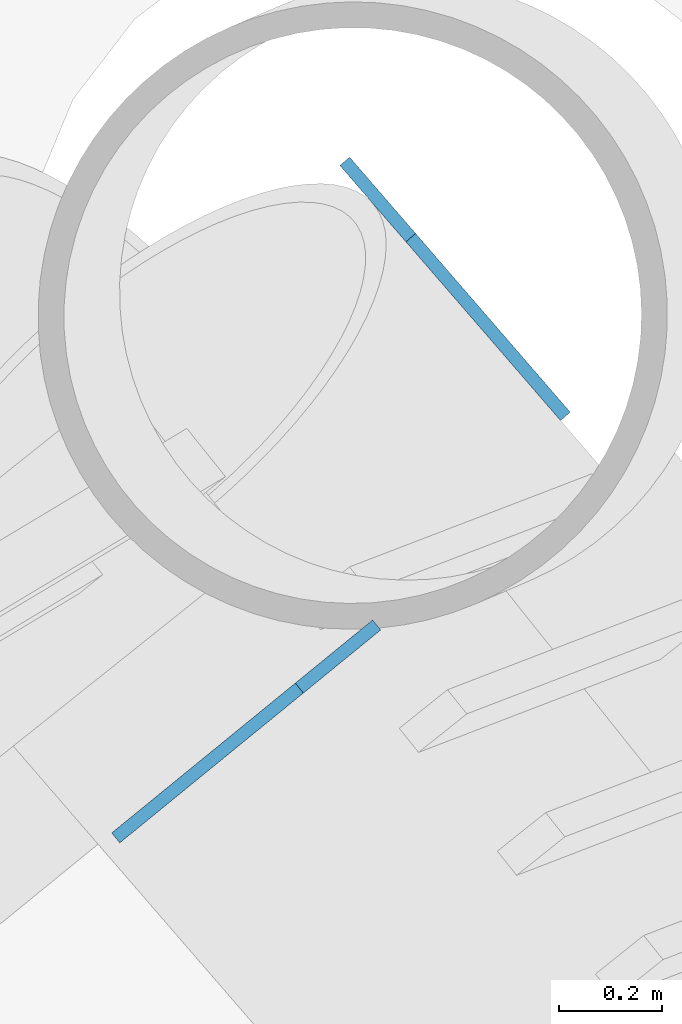
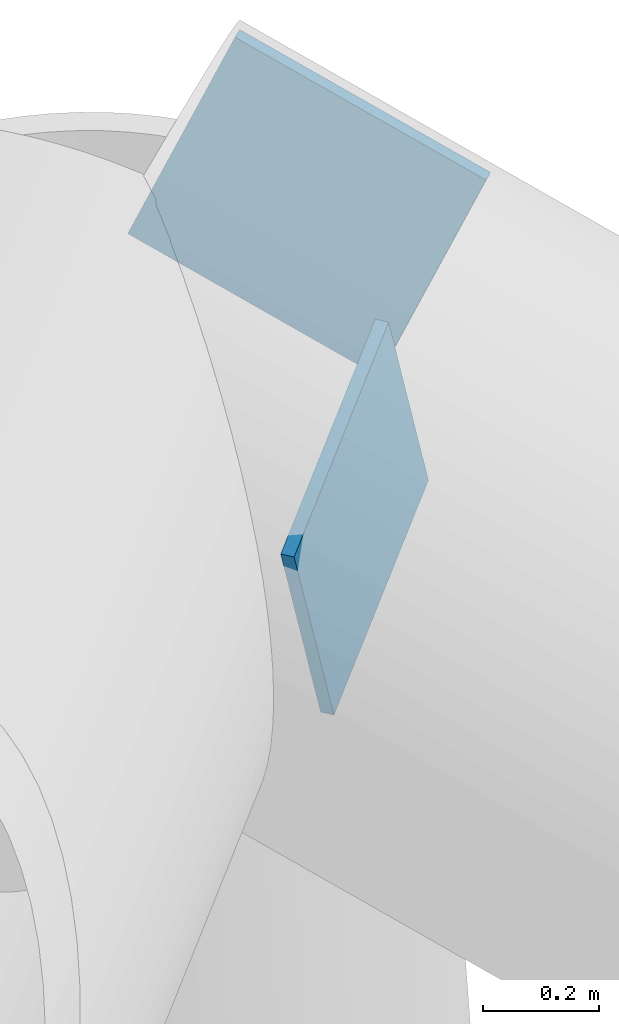
# One storey, part 29 of 48: 2 discrete accessories.
"""IFC4 building model written with IfcOpenShell, lengths in metres."""

import ifcopenshell
import ifcopenshell.guid

model = None  # the IFC model being written
_history = None  # IfcOwnerHistory: only IFC2X3 demands one
_inside = {}  # id of a spatial element -> (the spatial element, [elements in it])
_under = {}  # id of a project, library or spatial element -> (it, [spatial elements below it])
_declared = {}  # id of a project -> (the project, [libraries it declares])
_typed = {}  # id of a type object -> (the type object, [elements of that type])
_made_of = {}  # id of a material, layer set ... -> (it, [elements and type objects made of it])


def new_model(schema):
    """Start an empty IFC model of exactly this schema.

    Asked for "IFC4X3", IfcOpenShell would pick the latest addendum, in which some entities
    have other attributes; the version numbers below select the first issue.
    IFC2X3 requires an IfcOwnerHistory on every rooted entity: one is made here for all.
    """
    global model, _history
    if schema == "IFC4X3":
        model = ifcopenshell.file(schema_version=(4, 3, 0, 0))
    else:
        model = ifcopenshell.file(schema=schema)
    _inside.clear()
    _under.clear()
    _declared.clear()
    _typed.clear()
    _made_of.clear()
    _history = None
    if model.schema == "IFC2X3":
        org = make("IfcOrganization", Name="unknown")
        user = make(
            "IfcPersonAndOrganization",
            ThePerson=make("IfcPerson", FamilyName="unknown"),
            TheOrganization=org,
        )
        app = make(
            "IfcApplication",
            ApplicationDeveloper=org,
            Version="unknown",
            ApplicationFullName="unknown",
            ApplicationIdentifier="unknown",
        )
        _history = make(
            "IfcOwnerHistory",
            OwningUser=user,
            OwningApplication=app,
            ChangeAction="ADDED",
            CreationDate=0,
        )
    return model


def make(cls, **values):
    """One entity of the class cls with the attributes given. An attribute that is None is left unset."""
    return model.create_entity(
        cls, **{name: value for name, value in values.items() if value is not None}
    )


def rooted(cls, **values):
    """An entity with a GlobalId (a new one), such as an element, a storey or a relation."""
    return make(cls, GlobalId=ifcopenshell.guid.new(), OwnerHistory=_history, **values)


def si_unit(unit_type, name, prefix=None):
    """IfcSIUnit, for example si_unit("LENGTHUNIT", "METRE", prefix="MILLI")."""
    return make("IfcSIUnit", UnitType=unit_type, Prefix=prefix, Name=name)


def assignment(units):
    """IfcUnitAssignment: the units of a project."""
    return None if units is None else make("IfcUnitAssignment", Units=units)


def point(xyz):
    """IfcCartesianPoint."""
    return None if xyz is None else make("IfcCartesianPoint", Coordinates=xyz)


def direction(xyz):
    """IfcDirection."""
    return None if xyz is None else make("IfcDirection", DirectionRatios=xyz)


def frame(location, z_axis=None, x_axis=None):
    """IfcAxis2Placement3D, a coordinate frame: its origin and axes. An axis left out is left unset."""
    return make(
        "IfcAxis2Placement3D",
        Location=point(location),
        Axis=direction(z_axis),
        RefDirection=direction(x_axis),
    )


def frame_2d(location, x_axis=None):
    """IfcAxis2Placement2D, a coordinate frame in the plane: its origin and x axis."""
    return make(
        "IfcAxis2Placement2D", Location=point(location), RefDirection=direction(x_axis)
    )


def origin():
    """The frame at (0, 0, 0) with its axes left unset."""
    return frame((0.0, 0.0, 0.0))


def origin_2d():
    """The frame at (0, 0) in the plane with its x axis left unset."""
    return frame_2d((0.0, 0.0))


def place(relative_to, where):
    """IfcLocalPlacement: puts the frame where relative to a parent placement (None: the world)."""
    return make(
        "IfcLocalPlacement", PlacementRelTo=relative_to, RelativePlacement=where
    )


def context(
    kind, dimensions, precision=None, world=None, true_north=None, identifier=None
):
    """IfcGeometricRepresentationContext, for example the 3D "Model" context."""
    return make(
        "IfcGeometricRepresentationContext",
        ContextIdentifier=identifier,
        ContextType=kind,
        CoordinateSpaceDimension=dimensions,
        Precision=precision,
        WorldCoordinateSystem=world,
        TrueNorth=true_north,
    )


def subcontext(parent, identifier, kind, view, scale=None):
    """IfcGeometricRepresentationSubContext, for example "Body" below "Model"."""
    return make(
        "IfcGeometricRepresentationSubContext",
        ContextIdentifier=identifier,
        ContextType=kind,
        ParentContext=parent,
        TargetScale=scale,
        TargetView=view,
    )


def project(units=None, contexts=None):
    """IfcProject with its units and contexts."""
    return rooted(
        "IfcProject",
        Name="project",
        RepresentationContexts=contexts,
        UnitsInContext=assignment(units),
    )


def spatial(cls, under=None, at=None, **own):
    """A site, building, storey or space (cls), placed at a placement, below another one or the project."""
    s = rooted(cls, ObjectPlacement=at, **own)
    if under is not None:
        _under.setdefault(under.id(), (under, []))[1].append(s)
    return s


def profile(cls, at=None, kind="AREA", **sizes):
    """A parametric profile (cls). Its sizes go by their IFC names, for example OverallWidth=200.0."""
    return make(cls, ProfileType=kind, Position=at, **sizes)


def rectangle(**sizes):
    """IfcRectangleProfileDef."""
    return profile("IfcRectangleProfileDef", **sizes)


def extrude(swept, where, along, depth):
    """IfcExtrudedAreaSolid: the profile swept, set in the frame where, extruded along a direction by depth."""
    return make(
        "IfcExtrudedAreaSolid",
        SweptArea=swept,
        Position=where,
        ExtrudedDirection=direction(along),
        Depth=depth,
    )


def shape(context_of_items, identifier, shape_type, items):
    """IfcShapeRepresentation: the items that make up one representation, for example the "Body"."""
    return make(
        "IfcShapeRepresentation",
        ContextOfItems=context_of_items,
        RepresentationIdentifier=identifier,
        RepresentationType=shape_type,
        Items=items,
    )


def material(Name=None, Category=None):
    """IfcMaterial."""
    return make("IfcMaterial", Name=Name, Category=Category)


def material_profile(
    of_material, cross_section, Name=None, Category=None, Priority=None
):
    """IfcMaterialProfile: a cross section and its material."""
    return make(
        "IfcMaterialProfile",
        Name=Name,
        Material=of_material,
        Profile=cross_section,
        Priority=Priority,
        Category=Category,
    )


def profile_set(profiles, Name=None, composite=None):
    """IfcMaterialProfileSet."""
    return make(
        "IfcMaterialProfileSet",
        Name=Name,
        MaterialProfiles=profiles,
        CompositeProfile=composite,
    )


def made_of(thing, what):
    """Note that an element or type object is made of a material, layer set ...; save() writes the relation."""
    if what is not None:
        _made_of.setdefault(what.id(), (what, []))[1].append(thing)
    return thing


def type_object(cls, material=None, **own):
    """A type object (cls), such as IfcWallType, which elements share."""
    return made_of(rooted(cls, **own), material)


def element(
    cls,
    number,
    at=None,
    inside=None,
    cuts=None,
    type_object=None,
    material=None,
    context=None,
    identifier="Body",
    shape_type=None,
    held_by="IfcProductDefinitionShape",
    body=None,
    shapes=None,
    **own,
):
    """One element of the class cls, such as IfcWall. Its Tag is "e" and its number.

    at: its placement. inside: the storey or other place that contains it. cuts: it is an
    opening in that element (IfcRelVoidsElement). A single representation is given by context,
    identifier, shape_type and body (its items); several are given by shapes. held_by: the class
    of the entity that holds the representations. save() writes the other relations.
    """
    e = rooted(cls, Tag="e%d" % number, ObjectPlacement=at, **own)
    if body is not None:
        shapes = [shape(context, identifier, shape_type, body)]
    if shapes is not None:
        e.Representation = make(held_by, Representations=shapes)
    if inside is not None:
        _inside.setdefault(inside.id(), (inside, []))[1].append(e)
    if cuts is not None:
        rooted(
            "IfcRelVoidsElement", RelatingBuildingElement=cuts, RelatedOpeningElement=e
        )
    if type_object is not None:
        _typed.setdefault(type_object.id(), (type_object, []))[1].append(e)
    return made_of(e, material)


def aggregate(whole, parts):
    """IfcRelAggregates: a whole, such as a stair, and the parts it consists of."""
    return rooted("IfcRelAggregates", RelatingObject=whole, RelatedObjects=parts)


def save(model, path):
    """Write the relations noted so far, then the file.

    IfcRelAggregates (storeys below a building ...), IfcRelContainedInSpatialStructure (elements
    in a storey), IfcRelDefinesByType, IfcRelAssociatesMaterial and IfcRelDeclares: one each for
    every whole, place, type object, material and project.
    """
    for whole, parts in _under.values():
        aggregate(whole, parts)
    for where, things in _inside.values():
        rooted(
            "IfcRelContainedInSpatialStructure",
            RelatedElements=things,
            RelatingStructure=where,
        )
    for kind, things in _typed.values():
        rooted("IfcRelDefinesByType", RelatedObjects=things, RelatingType=kind)
    for what, things in _made_of.values():
        rooted("IfcRelAssociatesMaterial", RelatedObjects=things, RelatingMaterial=what)
    for by, libraries in _declared.values():
        rooted("IfcRelDeclares", RelatingContext=by, RelatedDefinitions=libraries)
    model.write(path)


model = new_model("IFC4")

# Units and contexts
model_context = context("Model", 3, precision=1e-05, world=origin(), true_north=direction((0.0, 1.0)))
body_context = subcontext(model_context, "Body", "Model", "MODEL_VIEW")
ifc_project = project(units=[si_unit("LENGTHUNIT", "METRE"), si_unit("AREAUNIT", "SQUARE_METRE"), si_unit("VOLUMEUNIT", "CUBIC_METRE"), si_unit("PLANEANGLEUNIT", "RADIAN"), si_unit("MASSUNIT", "GRAM", prefix="KILO")], contexts=[model_context])

# Site, building, storey
site_placement = place(None, origin())
site = spatial("IfcSite", under=ifc_project, at=site_placement, CompositionType="ELEMENT")
building_placement = place(site_placement, origin())
building = spatial("IfcBuilding", under=site, at=building_placement, Name="Tarsis Ring Headquarters", CompositionType="ELEMENT")
storey_placement = place(building_placement, frame((0.0, 0.0, 34.0)))
storey = spatial("IfcBuildingStorey", under=building, at=storey_placement, Name="L06", CompositionType="ELEMENT", Elevation=34.0)

# Discrete accessories
ifc_material = material(Name="Structural steel S355", Category="steel")
ifc_material_profile = material_profile(ifc_material, rectangle(XDim=0.02490234375, YDim=0.5, at=origin_2d()), Name="PL 25x500")
ifc_profile_set = profile_set([ifc_material_profile], Name="Structural steel S355")
discrete_accessory_type = type_object("IfcDiscreteAccessoryType", Name="Gusset plate Belt truss 25", PredefinedType="BRACKET", material=ifc_profile_set)
discrete_accessory_1_placement = place(storey_placement, frame((-21.431396484375, 50.677978515625, 6.0), z_axis=(0.601726643845, -0.695502224703, -0.392685244847), x_axis=(0.756249533819, 0.65428330454, 0.0)))
element("IfcDiscreteAccessory", 1, at=discrete_accessory_1_placement, inside=storey, type_object=discrete_accessory_type, Name="Gusset plate GP4", PredefinedType="BRACKET", context=body_context, shape_type="SweptSolid", body=[
    extrude(rectangle(XDim=0.02490234375, YDim=0.5, at=origin_2d()), origin(), (0.0, 0.0, 1.0), 0.499755859375),
])
discrete_accessory_2_placement = place(storey_placement, frame((-21.5087890625, 49.7890625, 6.0), z_axis=(-0.714002193755, -0.582629697093, -0.388257006864), x_axis=(0.632227202821, -0.774783043189, 0.0)))
element("IfcDiscreteAccessory", 2, at=discrete_accessory_2_placement, inside=storey, type_object=discrete_accessory_type, Name="Gusset plate GP4", PredefinedType="BRACKET", context=body_context, shape_type="SweptSolid", body=[
    extrude(rectangle(XDim=0.02490234375, YDim=0.5, at=origin_2d()), origin(), (0.0, 0.0, 1.0), 0.5),
])

save(model, "model.ifc")
